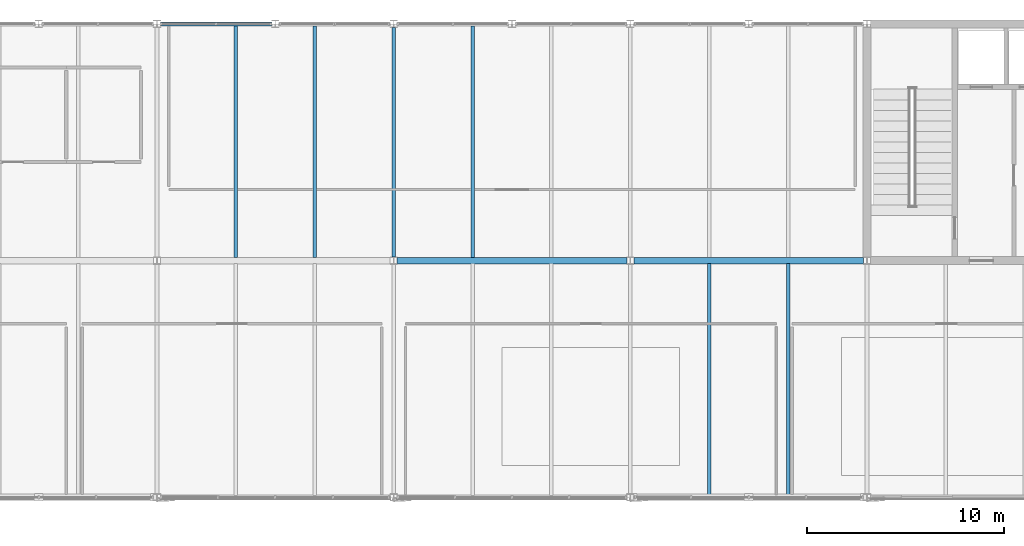
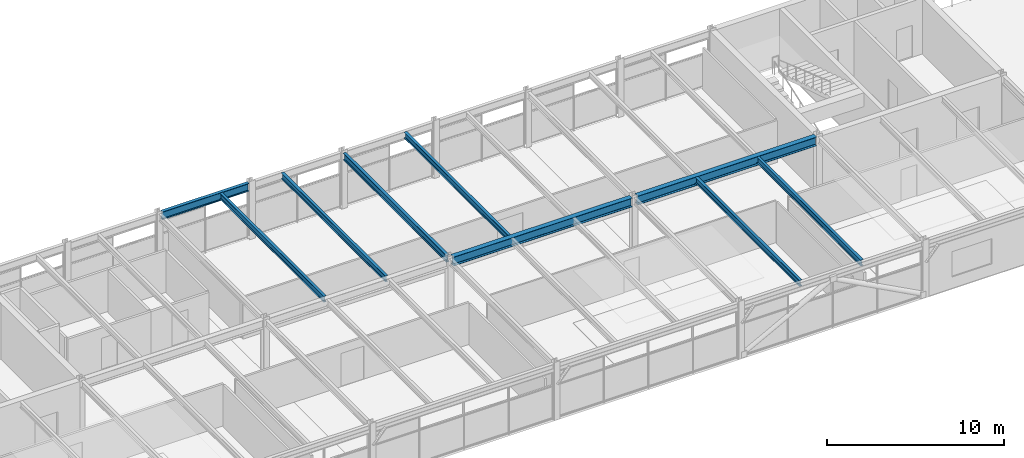
# One storey, part 17 of 32: 9 beams.
"""IFC4 building model written with IfcOpenShell, lengths in metres."""

from ifc_helpers import new_model, si_unit, direction, frame, origin, origin_2d, place, context, subcontext, project, spatial, i_section, extrude, material, material_profile, profile_set, type_object, element, save


model = new_model("IFC4")

# Units and contexts
model_context = context("Model", 3, precision=1e-05, world=origin(), true_north=direction((0.0, 1.0)))
body_context = subcontext(model_context, "Body", "Model", "MODEL_VIEW")
ifc_project = project(units=[si_unit("LENGTHUNIT", "METRE"), si_unit("AREAUNIT", "SQUARE_METRE"), si_unit("VOLUMEUNIT", "CUBIC_METRE"), si_unit("PLANEANGLEUNIT", "RADIAN"), si_unit("MASSUNIT", "GRAM", prefix="KILO")], contexts=[model_context])

# Site, building, storey
site_placement = place(None, origin())
site = spatial("IfcSite", under=ifc_project, at=site_placement, CompositionType="ELEMENT")
building_placement = place(site_placement, origin())
building = spatial("IfcBuilding", under=site, at=building_placement, Name="Girod Span Mobility Hub", CompositionType="ELEMENT")
storey_placement = place(building_placement, frame((0.0, 0.0, 61.60009765625)))
storey = spatial("IfcBuildingStorey", under=building, at=storey_placement, Name="L15", CompositionType="ELEMENT", Elevation=61.60009765625)

# Beams
ifc_material_1 = material(Name="Steel A992 Grade 50", Category="steel")
ifc_material_profile_1 = material_profile(ifc_material_1, i_section(OverallWidth=0.178955078125, OverallDepth=0.409912109375, WebThickness=0.0087890625, FlangeThickness=0.014404296875, FilletRadius=0.012939453125, at=origin_2d()), Name="W16X45")
ifc_profile_set_1 = profile_set([ifc_material_profile_1], Name="Steel A992 Grade 50")
beam_type_1 = type_object("IfcBeamType", Name="BM-STL-W16X45", PredefinedType="BEAM", material=ifc_profile_set_1)
for number, where, z_axis, x_axis, name in (
    (1, (76.0, 57.158935546875, 3.635009765625), (0.0, 1.0, 0.0), (-1.0, 0.0, 0.0), "Composite Floorbeam 7/E-1 L15"),
    (2, (80.0, 57.158935546875, 3.635009765625), (0.0, 1.0, 0.0), (-1.0, 0.0, 0.0), "Composite Floorbeam 7/E-2 L15"),
    (3, (88.0, 57.158935546875, 3.635009765625), (0.0, 1.0, 0.0), (-1.0, 0.0, 0.0), "Composite Floorbeam 8/E-1 L15"),
    (4, (100.0, 45.10302734375, 3.635009765625), (0.0, 1.0, 0.0), (-1.0, 0.0, 0.0), "Composite Floorbeam 9/D-1 L15"),
    (5, (104.0, 45.10302734375, 3.635009765625), (0.0, 1.0, 0.0), (-1.0, 0.0, 0.0), "Composite Floorbeam 9/D-2 L15"),
):
    element("IfcBeam", number, at=place(storey_placement, frame(where, z_axis=z_axis, x_axis=x_axis)), inside=storey, type_object=beam_type_1, Name=name, PredefinedType="BEAM", context=body_context, shape_type="SweptSolid", body=[
        extrude(i_section(OverallWidth=0.178955078125, OverallDepth=0.409912109375, WebThickness=0.0087890625, FlangeThickness=0.014404296875, FilletRadius=0.012939453125, at=origin_2d()), origin(), (0.0, 0.0, 1.0), 11.738037109375),
    ])
ifc_material_2 = material(Name="Steel A992 Grade 50", Category="steel")
ifc_material_profile_2 = material_profile(ifc_material_2, i_section(OverallWidth=0.19189453125, OverallDepth=0.462890625, WebThickness=0.010498046875, FlangeThickness=0.017578125, FilletRadius=0.013916015625, at=origin_2d()), Name="W18X60")
ifc_profile_set_2 = profile_set([ifc_material_profile_2], Name="Steel A992 Grade 50")
beam_type_2 = type_object("IfcBeamType", Name="BM-STL-W18X60", PredefinedType="BEAM", material=ifc_profile_set_2)
beam_1_placement = place(storey_placement, frame((84.0, 57.175048828125, 3.6083984375), z_axis=(0.0, 1.0, 0.0), x_axis=(-1.0, 0.0, 0.0)))
element("IfcBeam", 6, at=beam_1_placement, inside=storey, type_object=beam_type_2, Name="Tie Girder 8/E-F L15", PredefinedType="BEAM", context=body_context, shape_type="SweptSolid", body=[
    extrude(i_section(OverallWidth=0.19189453125, OverallDepth=0.462890625, WebThickness=0.010498046875, FlangeThickness=0.017578125, FilletRadius=0.013916015625, at=origin_2d()), origin(), (0.0, 0.0, 1.0), 11.64990234375),
])
ifc_material_3 = material(Name="Steel A992 Grade 50", Category="steel")
ifc_material_profile_3 = material_profile(ifc_material_3, i_section(OverallWidth=0.2119140625, OverallDepth=0.5439453125, WebThickness=0.01318359375, FlangeThickness=0.021240234375, FilletRadius=0.014892578125, at=origin_2d()), Name="W21X83")
ifc_profile_set_3 = profile_set([ifc_material_profile_3], Name="Steel A992 Grade 50")
beam_type_3 = type_object("IfcBeamType", Name="BM-STL-W21X83", PredefinedType="SPANDREL", material=ifc_profile_set_3)
beam_2_placement = place(storey_placement, frame((72.181396484375, 69.0, 3.56787109375), z_axis=(1.0, 0.0, 0.0), x_axis=(0.0, 1.0, 0.0)))
element("IfcBeam", 7, at=beam_2_placement, inside=storey, type_object=beam_type_3, Name="Spandrel Beam 7-8/F-W L15", PredefinedType="SPANDREL", context=body_context, shape_type="SweptSolid", body=[
    extrude(i_section(OverallWidth=0.2119140625, OverallDepth=0.5439453125, WebThickness=0.01318359375, FlangeThickness=0.021240234375, FilletRadius=0.014892578125, at=origin_2d()), origin(), (0.0, 0.0, 1.0), 5.63720703125),
])
ifc_material_4 = material(Name="Steel A992 Grade 50", Category="steel")
ifc_material_profile_4 = material_profile(ifc_material_4, i_section(OverallWidth=0.323974609375, OverallDepth=0.611083984375, WebThickness=0.0126953125, FlangeThickness=0.01904296875, FilletRadius=0.014892578125, at=origin_2d()), Name="W24X104")
ifc_profile_set_4 = profile_set([ifc_material_profile_4], Name="Steel A992 Grade 50")
beam_type_4 = type_object("IfcBeamType", Name="BM-STL-W24X104", PredefinedType="BEAM", material=ifc_profile_set_4)
for number, where, z_axis, x_axis, name in (
    (8, (84.181396484375, 57.0, 3.534423828125), (1.0, 0.0, 0.0), (0.0, 1.0, 0.0), "Girder 8-9/E L15"),
    (9, (96.181396484375, 57.0, 3.534423828125), (1.0, 0.0, 0.0), (0.0, 1.0, 0.0), "Girder 9-10/E L15"),
):
    element("IfcBeam", number, at=place(storey_placement, frame(where, z_axis=z_axis, x_axis=x_axis)), inside=storey, type_object=beam_type_4, Name=name, PredefinedType="BEAM", context=body_context, shape_type="SweptSolid", body=[
        extrude(i_section(OverallWidth=0.323974609375, OverallDepth=0.611083984375, WebThickness=0.0126953125, FlangeThickness=0.01904296875, FilletRadius=0.014892578125, at=origin_2d()), origin(), (0.0, 0.0, 1.0), 11.63720703125),
    ])

save(model, "model.ifc")
